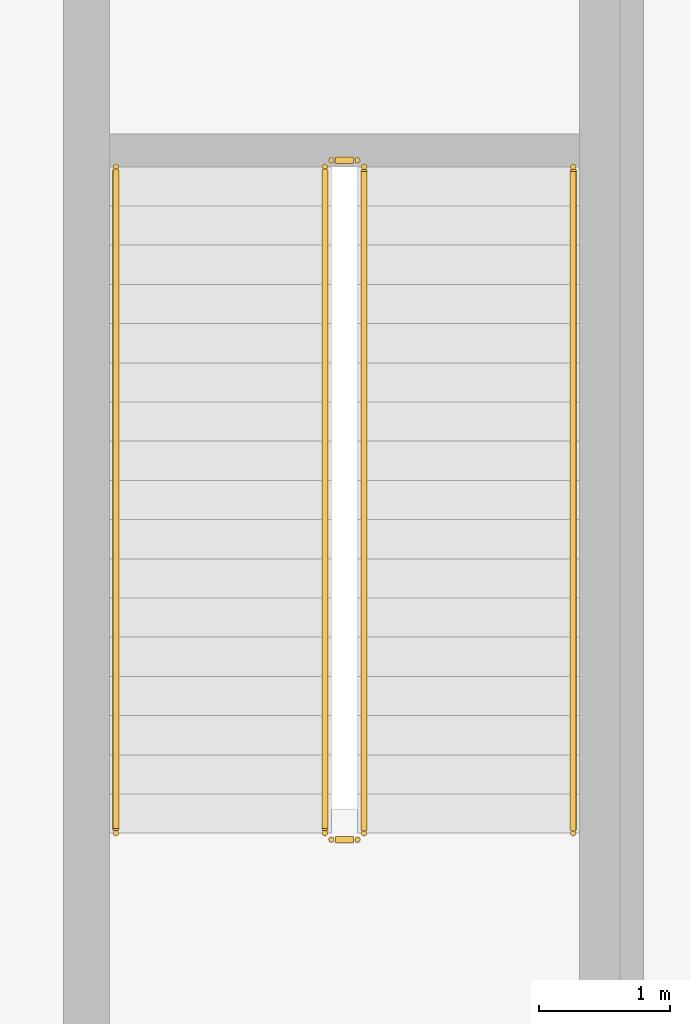
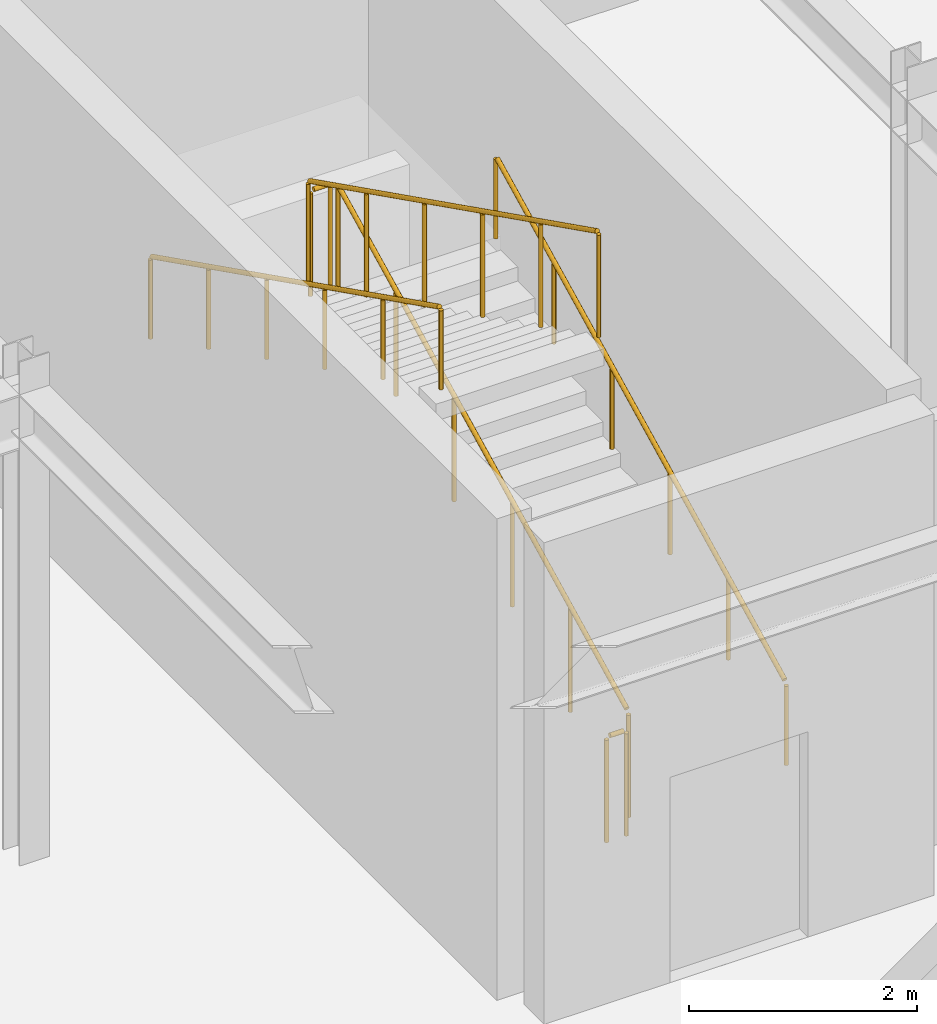
# One storey, part 155 of 155: 6 railings.
"""IFC4 building model written with IfcOpenShell, lengths in metres."""

from ifc_helpers import new_model, si_unit, direction, frame, origin, origin_2d, place, context, subcontext, project, spatial, circle, extrude, material, type_object, element, save


model = new_model("IFC4")

# Units and contexts
model_context = context("Model", 3, precision=1e-05, world=origin(), true_north=direction((0.0, 1.0)))
body_context = subcontext(model_context, "Body", "Model", "MODEL_VIEW")
ifc_project = project(units=[si_unit("LENGTHUNIT", "METRE"), si_unit("AREAUNIT", "SQUARE_METRE"), si_unit("VOLUMEUNIT", "CUBIC_METRE"), si_unit("PLANEANGLEUNIT", "RADIAN"), si_unit("MASSUNIT", "GRAM", prefix="KILO")], contexts=[model_context])

# Site, building, storey
site_placement = place(None, origin())
site = spatial("IfcSite", under=ifc_project, at=site_placement, CompositionType="ELEMENT")
building_placement = place(site_placement, origin())
building = spatial("IfcBuilding", under=site, at=building_placement, Name="Haizhuo Lancet Aquarium", CompositionType="ELEMENT")
storey_placement = place(building_placement, frame((0.0, 0.0, 10.800048828125)))
storey = spatial("IfcBuildingStorey", under=building, at=storey_placement, Name="L02", CompositionType="ELEMENT", Elevation=10.800048828125)

# Railings
ifc_material = material(Name="Steel S355", Category="steel")
railing_type_1 = type_object("IfcRailingType", Name="RL-GRD-1150", PredefinedType="GUARDRAIL", material=ifc_material)
railing_1_placement = place(storey_placement, frame((49.75, 24.64990234375, 0.14990234375)))
element("IfcRailing", 1, at=railing_1_placement, inside=storey, type_object=railing_type_1, Name="L02 ST-10 stair guard 1", PredefinedType="GUARDRAIL", context=body_context, shape_type="SweptSolid", body=[
    extrude(circle(Radius=0.02392578125, at=origin_2d()), frame((0.0, 0.02685546875, 1.13916015625), z_axis=(0.0, 0.894427191, 0.4472135955), x_axis=(-1.0, 0.0, 0.0)), (0.0, 0.0, 1.0), 5.64208984375),
    extrude(circle(Radius=0.02099609375, at=origin_2d()), origin(), (0.0, 0.0, 1.0), 1.097900390625),
    extrude(circle(Radius=0.02099609375, at=origin_2d()), frame((0.0, 1.02001953125, 0.510009765625)), (0.0, 0.0, 1.0), 1.097900390625),
    extrude(circle(Radius=0.02099609375, at=origin_2d()), frame((0.0, 2.0400390625, 1.02001953125)), (0.0, 0.0, 1.0), 1.097900390625),
    extrude(circle(Radius=0.02099609375, at=origin_2d()), frame((0.0, 3.06005859375, 1.530029296875)), (0.0, 0.0, 1.0), 1.097900390625),
    extrude(circle(Radius=0.02099609375, at=origin_2d()), frame((0.0, 4.080078125, 2.0400390625)), (0.0, 0.0, 1.0), 1.097900390625),
    extrude(circle(Radius=0.02099609375, at=origin_2d()), frame((0.0, 5.10009765625, 2.550048828125)), (0.0, 0.0, 1.0), 1.097900390625),
])
railing_2_placement = place(storey_placement, frame((49.699951171875, 29.800048828125, 2.699951171875)))
element("IfcRailing", 2, at=railing_2_placement, inside=storey, type_object=railing_type_1, Name="L02 ST-10 stair guard 2", PredefinedType="GUARDRAIL", context=body_context, shape_type="SweptSolid", body=[
    extrude(circle(Radius=0.02392578125, at=origin_2d()), frame((-0.030029296875, 0.0, 1.1259765625), z_axis=(-1.0, 0.0, 0.0), x_axis=(0.0, -1.0, 0.0)), (0.0, 0.0, 1.0), 0.139892578125),
    extrude(circle(Radius=0.02099609375, at=origin_2d()), origin(), (0.0, 0.0, 1.0), 1.097900390625),
    extrude(circle(Radius=0.02099609375, at=origin_2d()), frame((-0.199951171875, 0.0, 0.0)), (0.0, 0.0, 1.0), 1.097900390625),
])
railing_3_placement = place(storey_placement, frame((49.449951171875, 29.75, 2.849853515625)))
element("IfcRailing", 3, at=railing_3_placement, inside=storey, type_object=railing_type_1, Name="L02 ST-10 stair guard 3", PredefinedType="GUARDRAIL", context=body_context, shape_type="SweptSolid", body=[
    extrude(circle(Radius=0.02392578125, at=origin_2d()), frame((0.0, -0.02685546875, 1.13916015625), z_axis=(0.0, -0.894427191, 0.4472135955), x_axis=(1.0, 0.0, 0.0)), (0.0, 0.0, 1.0), 5.64208984375),
    extrude(circle(Radius=0.02099609375, at=origin_2d()), origin(), (0.0, 0.0, 1.0), 1.097900390625),
    extrude(circle(Radius=0.02099609375, at=origin_2d()), frame((0.0, -1.02001953125, 0.510009765625)), (0.0, 0.0, 1.0), 1.097900390625),
    extrude(circle(Radius=0.02099609375, at=origin_2d()), frame((0.0, -2.0400390625, 1.02001953125)), (0.0, 0.0, 1.0), 1.097900390625),
    extrude(circle(Radius=0.02099609375, at=origin_2d()), frame((0.0, -3.06005859375, 1.530029296875)), (0.0, 0.0, 1.0), 1.097900390625),
    extrude(circle(Radius=0.02099609375, at=origin_2d()), frame((0.0, -4.080078125, 2.0400390625)), (0.0, 0.0, 1.0), 1.097900390625),
    extrude(circle(Radius=0.02099609375, at=origin_2d()), frame((0.0, -5.10009765625, 2.550048828125)), (0.0, 0.0, 1.0), 1.097900390625),
])
railing_4_placement = place(storey_placement, frame((49.699951171875, 24.60009765625, 0.0)))
element("IfcRailing", 4, at=railing_4_placement, inside=storey, type_object=railing_type_1, Name="L02 ST-10 stair guard 4", PredefinedType="GUARDRAIL", context=body_context, shape_type="SweptSolid", body=[
    extrude(circle(Radius=0.02392578125, at=origin_2d()), frame((-0.030029296875, 0.0, 1.1259765625), z_axis=(-1.0, 0.0, 0.0), x_axis=(0.0, -1.0, 0.0)), (0.0, 0.0, 1.0), 0.139892578125),
    extrude(circle(Radius=0.02099609375, at=origin_2d()), origin(), (0.0, 0.0, 1.0), 1.097900390625),
    extrude(circle(Radius=0.02099609375, at=origin_2d()), frame((-0.199951171875, 0.0, 0.0)), (0.0, 0.0, 1.0), 1.097900390625),
])
railing_type_2 = type_object("IfcRailingType", Name="RL-HDR-900", PredefinedType="HANDRAIL", material=ifc_material)
railing_5_placement = place(storey_placement, frame((51.35009765625, 24.64990234375, 0.14990234375)))
element("IfcRailing", 5, at=railing_5_placement, inside=storey, type_object=railing_type_2, Name="L02 ST-10 pitch handrail 1", PredefinedType="HANDRAIL", context=body_context, shape_type="SweptSolid", body=[
    extrude(circle(Radius=0.02392578125, at=origin_2d()), frame((0.0, 0.02685546875, 0.88916015625), z_axis=(0.0, 0.894427191, 0.4472135955), x_axis=(-1.0, 0.0, 0.0)), (0.0, 0.0, 1.0), 5.64208984375),
    extrude(circle(Radius=0.02099609375, at=origin_2d()), origin(), (0.0, 0.0, 1.0), 0.847900390625),
    extrude(circle(Radius=0.02099609375, at=origin_2d()), frame((0.0, 1.02001953125, 0.510009765625)), (0.0, 0.0, 1.0), 0.847900390625),
    extrude(circle(Radius=0.02099609375, at=origin_2d()), frame((0.0, 2.0400390625, 1.02001953125)), (0.0, 0.0, 1.0), 0.847900390625),
    extrude(circle(Radius=0.02099609375, at=origin_2d()), frame((0.0, 3.06005859375, 1.530029296875)), (0.0, 0.0, 1.0), 0.847900390625),
    extrude(circle(Radius=0.02099609375, at=origin_2d()), frame((0.0, 4.080078125, 2.0400390625)), (0.0, 0.0, 1.0), 0.847900390625),
    extrude(circle(Radius=0.02099609375, at=origin_2d()), frame((0.0, 5.10009765625, 2.550048828125)), (0.0, 0.0, 1.0), 0.847900390625),
])
railing_6_placement = place(storey_placement, frame((47.85009765625, 29.75, 2.849853515625)))
element("IfcRailing", 6, at=railing_6_placement, inside=storey, type_object=railing_type_2, Name="L02 ST-10 pitch handrail 2", PredefinedType="HANDRAIL", context=body_context, shape_type="SweptSolid", body=[
    extrude(circle(Radius=0.02392578125, at=origin_2d()), frame((0.0, -0.02685546875, 0.88916015625), z_axis=(0.0, -0.894427191, 0.4472135955), x_axis=(1.0, 0.0, 0.0)), (0.0, 0.0, 1.0), 5.64208984375),
    extrude(circle(Radius=0.02099609375, at=origin_2d()), origin(), (0.0, 0.0, 1.0), 0.847900390625),
    extrude(circle(Radius=0.02099609375, at=origin_2d()), frame((0.0, -1.02001953125, 0.510009765625)), (0.0, 0.0, 1.0), 0.847900390625),
    extrude(circle(Radius=0.02099609375, at=origin_2d()), frame((0.0, -2.0400390625, 1.02001953125)), (0.0, 0.0, 1.0), 0.847900390625),
    extrude(circle(Radius=0.02099609375, at=origin_2d()), frame((0.0, -3.06005859375, 1.530029296875)), (0.0, 0.0, 1.0), 0.847900390625),
    extrude(circle(Radius=0.02099609375, at=origin_2d()), frame((0.0, -4.080078125, 2.0400390625)), (0.0, 0.0, 1.0), 0.847900390625),
    extrude(circle(Radius=0.02099609375, at=origin_2d()), frame((0.0, -5.10009765625, 2.550048828125)), (0.0, 0.0, 1.0), 0.847900390625),
])

save(model, "model.ifc")
